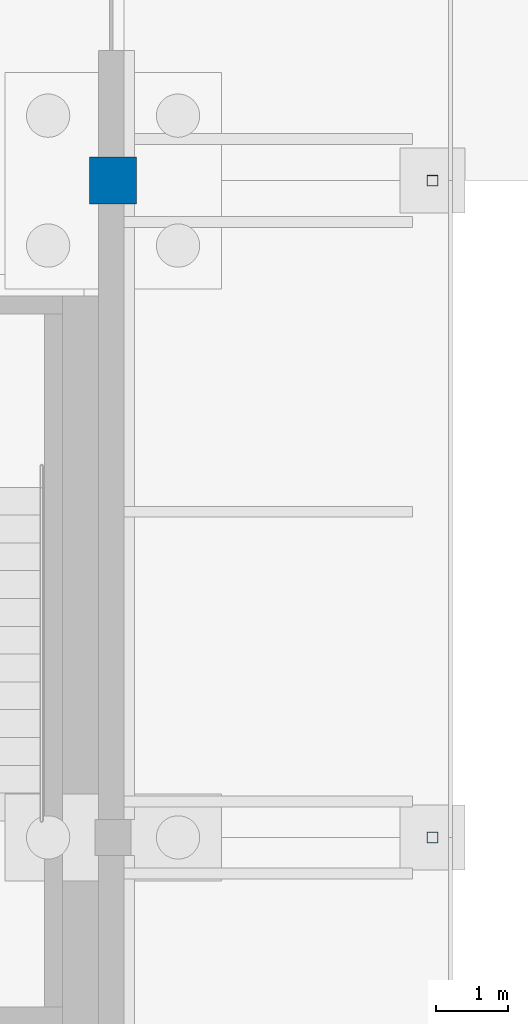
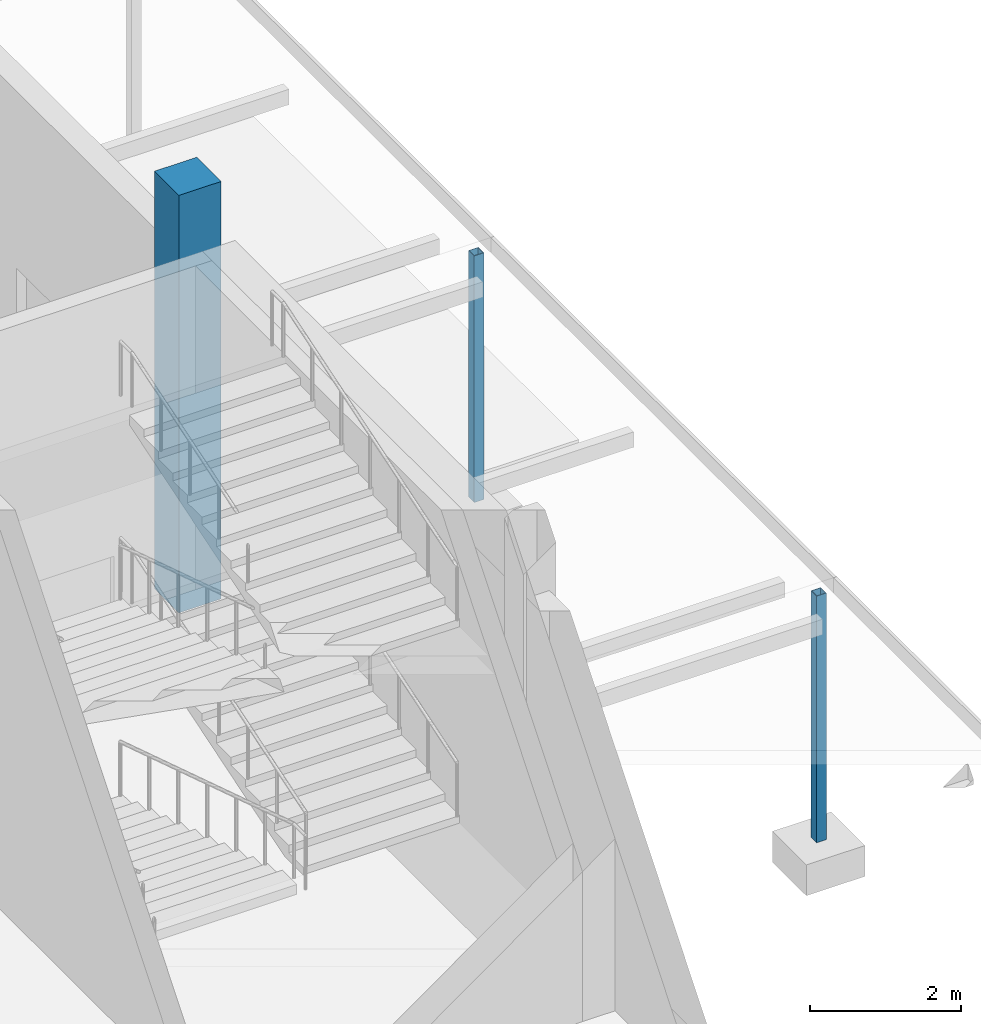
# One storey, part 45 of 129: 3 columns.
"""IFC4 building model written with IfcOpenShell, lengths in metres."""

from ifc_helpers import new_model, si_unit, direction, frame, origin, origin_2d, place, context, subcontext, project, spatial, rectangle, hollow_rectangle, extrude, material, material_profile, profile_set, type_object, element, save


model = new_model("IFC4")

# Units and contexts
model_context = context("Model", 3, precision=1e-05, world=origin(), true_north=direction((0.0, 1.0)))
body_context = subcontext(model_context, "Body", "Model", "MODEL_VIEW")
ifc_project = project(units=[si_unit("LENGTHUNIT", "METRE"), si_unit("AREAUNIT", "SQUARE_METRE"), si_unit("VOLUMEUNIT", "CUBIC_METRE"), si_unit("PLANEANGLEUNIT", "RADIAN"), si_unit("MASSUNIT", "GRAM", prefix="KILO")], contexts=[model_context])

# Site, building, storey
site_placement = place(None, origin())
site = spatial("IfcSite", under=ifc_project, at=site_placement, CompositionType="ELEMENT")
building_placement = place(site_placement, origin())
building = spatial("IfcBuilding", under=site, at=building_placement, Name="Shirokan Park Arena", CompositionType="ELEMENT")
storey_placement = place(building_placement, origin())
storey = spatial("IfcBuildingStorey", under=building, at=storey_placement, Name="L00", CompositionType="ELEMENT", Elevation=0.0)

# Columns
ifc_material_1 = material(Name="Concrete C35", Category="concrete")
ifc_material_profile_1 = material_profile(ifc_material_1, rectangle(XDim=0.64990234375, YDim=0.64990234375, at=origin_2d()), Name="650x650")
ifc_profile_set_1 = profile_set([ifc_material_profile_1], Name="Concrete C35")
column_type_1 = type_object("IfcColumnType", Name="RC column 650x650", PredefinedType="COLUMN", material=ifc_profile_set_1)
column_placement = place(storey_placement, frame((145.60009765625, 91.0, -0.39990234375), z_axis=(0.0, 0.0, 1.0), x_axis=(1.0, 0.0, 0.0)))
element("IfcColumn", 1, at=column_placement, inside=storey, type_object=column_type_1, Name="Column 17L L00", PredefinedType="COLUMN", context=body_context, shape_type="SweptSolid", body=[
    extrude(rectangle(XDim=0.64990234375, YDim=0.64990234375, at=origin_2d()), origin(), (0.0, 0.0, 1.0), 6.77001953125),
])
ifc_material_2 = material(Name="Steel S355", Category="steel")
ifc_material_profile_2 = material_profile(ifc_material_2, hollow_rectangle(XDim=0.14990234375, YDim=0.14990234375, WallThickness=0.008056640625, at=origin_2d()), Name="RHS 150x150x8")
ifc_profile_set_2 = profile_set([ifc_material_profile_2], Name="Steel S355")
column_type_2 = type_object("IfcColumnType", Name="Steel post RHS 150x150x8", PredefinedType="COLUMN", material=ifc_profile_set_2)
for number, where, z_axis, x_axis, name in (
    (2, (150.02490234375, 81.89990234375, -0.39990234375), (0.0, 0.0, 1.0), (1.0, 0.0, 0.0), "Canopy post east grid 10"),
    (3, (150.02490234375, 91.0, -0.39990234375), (0.0, 0.0, 1.0), (1.0, 0.0, 0.0), "Canopy post east grid 11"),
):
    element("IfcColumn", number, at=place(storey_placement, frame(where, z_axis=z_axis, x_axis=x_axis)), inside=storey, type_object=column_type_2, Name=name, PredefinedType="COLUMN", context=body_context, shape_type="SweptSolid", body=[
        extrude(hollow_rectangle(XDim=0.14990234375, YDim=0.14990234375, WallThickness=0.008056640625, at=origin_2d()), origin(), (0.0, 0.0, 1.0), 4.0),
    ])

save(model, "model.ifc")
